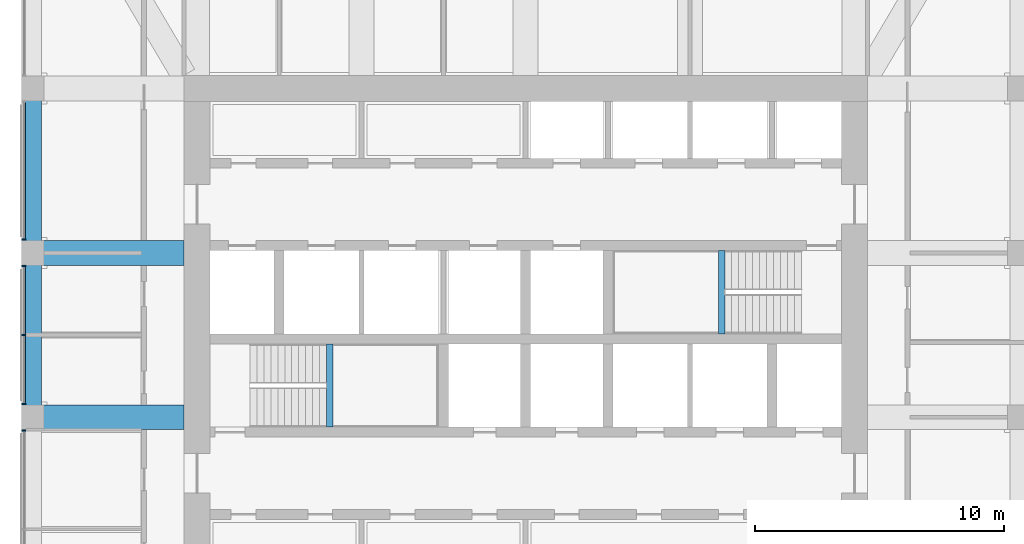
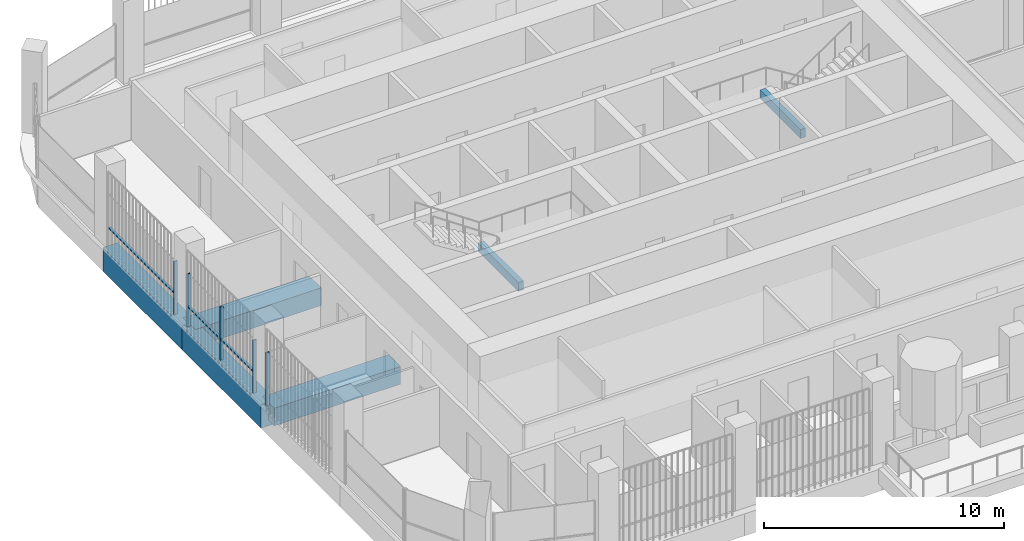
# One storey, part 4 of 21: 8 members, 6 beams, 3 elements without a shape of their own.
"""IFC4 building model written with IfcOpenShell, lengths in metres."""

from ifc_helpers import new_model, si_unit, direction, frame, origin, origin_2d, place, context, subcontext, project, spatial, rectangle, extrude, material, material_profile, profile_set, type_object, element, aggregate, save


model = new_model("IFC4")

# Units and contexts
model_context = context("Model", 3, precision=1e-05, world=origin(), true_north=direction((0.0, 1.0)))
body_context = subcontext(model_context, "Body", "Model", "MODEL_VIEW")
ifc_project = project(units=[si_unit("LENGTHUNIT", "METRE"), si_unit("AREAUNIT", "SQUARE_METRE"), si_unit("VOLUMEUNIT", "CUBIC_METRE"), si_unit("PLANEANGLEUNIT", "RADIAN"), si_unit("MASSUNIT", "GRAM", prefix="KILO")], contexts=[model_context])

# Site, building, storey
site_placement = place(None, origin())
site = spatial("IfcSite", under=ifc_project, at=site_placement, CompositionType="ELEMENT")
building_placement = place(site_placement, origin())
building = spatial("IfcBuilding", under=site, at=building_placement, Name="Cobogo Forest Laboratory Tower", CompositionType="ELEMENT")
storey_placement = place(building_placement, frame((0.0, 0.0, 258.60009765625)))
storey = spatial("IfcBuildingStorey", under=building, at=storey_placement, Name="L59", CompositionType="ELEMENT", Elevation=258.60009765625)

# Beams
ifc_material_1 = material(Name="Concrete HA-40 (C40/50)", Category="concrete")
ifc_material_profile_1 = material_profile(ifc_material_1, rectangle(XDim=0.25, YDim=0.449951171875, at=origin_2d()), Name="RC 250x450")
ifc_profile_set_1 = profile_set([ifc_material_profile_1], Name="Concrete HA-40 (C40/50)")
beam_type_1 = type_object("IfcBeamType", Name="LB1 landing beam 250x450", PredefinedType="BEAM", material=ifc_profile_set_1)
for number, where, z_axis, x_axis, name in (
    (1, (18.530029296875, 19.39990234375, 1.6748046875), (0.0, 1.0, 0.0), (-1.0, 0.0, 0.0), "Landing beam ST1 L59"),
    (2, (34.27001953125, 23.14990234375, 1.6748046875), (0.0, 1.0, 0.0), (-1.0, 0.0, 0.0), "Landing beam ST2 L59"),
):
    element("IfcBeam", number, at=place(storey_placement, frame(where, z_axis=z_axis, x_axis=x_axis)), inside=storey, type_object=beam_type_1, Name=name, PredefinedType="BEAM", context=body_context, shape_type="SweptSolid", body=[
        extrude(rectangle(XDim=0.25, YDim=0.449951171875, at=origin_2d()), origin(), (0.0, 0.0, 1.0), 3.35009765625),
    ])

# Curtain wall, member
ifc_material_2 = material(Name="Aluminium curtain wall", Category="aluminium")
curtain_wall_type = type_object("IfcCurtainWallType", Name="CW-2 unitised curtain wall, solar control glazing, laboratory floors zones C and D", PredefinedType="USERDEFINED", material=ifc_material_2)
curtain_wall_1_placement = place(storey_placement, origin())
curtain_wall_1 = element("IfcCurtainWall", 3, at=curtain_wall_1_placement, inside=storey, type_object=curtain_wall_type, Name="Curtain wall 21 L59", ObjectType="UNITISED CURTAIN WALL", PredefinedType="USERDEFINED")
ifc_material_3 = material(Name="Aluminium mullion", Category="aluminium")
ifc_material_profile_2 = material_profile(ifc_material_3, rectangle(XDim=0.06005859375, YDim=0.159912109375, at=origin_2d()), Name="AL 60x160")
ifc_profile_set_2 = profile_set([ifc_material_profile_2], Name="Aluminium mullion")
member_type_1 = type_object("IfcMemberType", Name="MU-1 aluminium mullion 60x160", PredefinedType="MULLION", material=ifc_profile_set_2)
member_1_placement = place(storey_placement, frame((6.25, 26.929931640625, 0.0), z_axis=(0.0, 0.0, 1.0), x_axis=(0.0, -1.0, 0.0)))
member_1 = element("IfcMember", 4, at=member_1_placement, type_object=member_type_1, Name="CW-2 mullion 2", PredefinedType="MULLION", context=body_context, shape_type="SweptSolid", body=[
    extrude(rectangle(XDim=0.06005859375, YDim=0.159912109375, at=origin_2d()), origin(), (0.0, 0.0, 1.0), 2.699951171875),
])

# Curtain wall, members
curtain_wall_2_placement = place(storey_placement, origin())
curtain_wall_2 = element("IfcCurtainWall", 5, at=curtain_wall_2_placement, inside=storey, type_object=curtain_wall_type, Name="Curtain wall 22 L59", ObjectType="UNITISED CURTAIN WALL", PredefinedType="USERDEFINED")
member_2_placement = place(storey_placement, frame((6.25, 25.8701171875, 0.0), z_axis=(0.0, 0.0, 1.0), x_axis=(0.0, -1.0, 0.0)))
member_2 = element("IfcMember", 6, at=member_2_placement, type_object=member_type_1, Name="CW-2 mullion 1", PredefinedType="MULLION", context=body_context, shape_type="SweptSolid", body=[
    extrude(rectangle(XDim=0.06005859375, YDim=0.159912109375, at=origin_2d()), origin(), (0.0, 0.0, 1.0), 2.699951171875),
])
member_3_placement = place(storey_placement, frame((6.25, 23.10009765625, 0.0), z_axis=(0.0, 0.0, 1.0), x_axis=(0.0, -1.0, 0.0)))
member_3 = element("IfcMember", 7, at=member_3_placement, type_object=member_type_1, Name="CW-2 mullion 2", PredefinedType="MULLION", context=body_context, shape_type="SweptSolid", body=[
    extrude(rectangle(XDim=0.06005859375, YDim=0.159912109375, at=origin_2d()), origin(), (0.0, 0.0, 1.0), 2.699951171875),
])
member_4_placement = place(storey_placement, frame((6.25, 20.330078125, 0.0), z_axis=(0.0, 0.0, 1.0), x_axis=(0.0, -1.0, 0.0)))
member_4 = element("IfcMember", 8, at=member_4_placement, type_object=member_type_1, Name="CW-2 mullion 3", PredefinedType="MULLION", context=body_context, shape_type="SweptSolid", body=[
    extrude(rectangle(XDim=0.06005859375, YDim=0.159912109375, at=origin_2d()), origin(), (0.0, 0.0, 1.0), 2.699951171875),
])

# Curtain wall, member
curtain_wall_3_placement = place(storey_placement, origin())
curtain_wall_3 = element("IfcCurtainWall", 9, at=curtain_wall_3_placement, inside=storey, type_object=curtain_wall_type, Name="Curtain wall 23 L59", ObjectType="UNITISED CURTAIN WALL", PredefinedType="USERDEFINED")
member_5_placement = place(storey_placement, frame((6.25, 19.27001953125, 0.0), z_axis=(0.0, 0.0, 1.0), x_axis=(0.0, -1.0, 0.0)))
member_5 = element("IfcMember", 10, at=member_5_placement, type_object=member_type_1, Name="CW-2 mullion 1", PredefinedType="MULLION", context=body_context, shape_type="SweptSolid", body=[
    extrude(rectangle(XDim=0.06005859375, YDim=0.159912109375, at=origin_2d()), origin(), (0.0, 0.0, 1.0), 2.699951171875),
])
aggregate(curtain_wall_3, [member_5])

# Beams
ifc_material_profile_3 = material_profile(ifc_material_1, rectangle(XDim=1.0, YDim=0.89990234375, at=origin_2d()), Name="RC 1000x900")
ifc_profile_set_3 = profile_set([ifc_material_profile_3], Name="Concrete HA-40 (C40/50)")
beam_type_2 = type_object("IfcBeamType", Name="Office floor wide beam 1000x900", PredefinedType="BEAM", material=ifc_profile_set_3)
for number, where, z_axis, x_axis, name in (
    (11, (12.675048828125, 19.800048828125, -0.75), (-1.0, 0.0, 0.0), (0.0, -1.0, 0.0), "RB2 R-D-W L59"),
    (12, (12.675048828125, 26.39990234375, -0.75), (-1.0, 0.0, 0.0), (0.0, -1.0, 0.0), "RB2 R-E-W L59"),
):
    element("IfcBeam", number, at=place(storey_placement, frame(where, z_axis=z_axis, x_axis=x_axis)), inside=storey, type_object=beam_type_2, Name=name, PredefinedType="BEAM", context=body_context, shape_type="SweptSolid", body=[
        extrude(rectangle(XDim=1.0, YDim=0.89990234375, at=origin_2d()), origin(), (0.0, 0.0, 1.0), 6.074951171875),
    ])
ifc_material_profile_4 = material_profile(ifc_material_1, rectangle(XDim=0.699951171875, YDim=1.199951171875, at=origin_2d()), Name="RC 700x1200")
ifc_profile_set_4 = profile_set([ifc_material_profile_4], Name="Concrete HA-40 (C40/50)")
beam_type_3 = type_object("IfcBeamType", Name="Perimeter edge beam 700x1200", PredefinedType="BEAM", material=ifc_profile_set_4)
beam_1_placement = place(storey_placement, frame((6.60009765625, 19.800048828125, -0.900146484375), z_axis=(0.0, 1.0, 0.0), x_axis=(-1.0, 0.0, 0.0)))
element("IfcBeam", 13, at=beam_1_placement, inside=storey, type_object=beam_type_3, Name="EB1 E-W2 L59", PredefinedType="BEAM", context=body_context, shape_type="SweptSolid", body=[
    extrude(rectangle(XDim=0.699951171875, YDim=1.199951171875, at=origin_2d()), origin(), (0.0, 0.0, 1.0), 6.599853515625),
])
beam_2_placement = place(storey_placement, frame((6.60009765625, 26.39990234375, -0.900146484375), z_axis=(0.0, 1.0, 0.0), x_axis=(-1.0, 0.0, 0.0)))
element("IfcBeam", 14, at=beam_2_placement, inside=storey, type_object=beam_type_3, Name="EB1 E-W3 L59", PredefinedType="BEAM", context=body_context, shape_type="SweptSolid", body=[
    extrude(rectangle(XDim=0.699951171875, YDim=1.199951171875, at=origin_2d()), origin(), (0.0, 0.0, 1.0), 6.60009765625),
])

# Member
ifc_material_4 = material(Name="Aluminium transom", Category="aluminium")
ifc_material_profile_5 = material_profile(ifc_material_4, rectangle(XDim=0.1201171875, YDim=0.06005859375, at=origin_2d()), Name="AL 60x120")
ifc_profile_set_5 = profile_set([ifc_material_profile_5], Name="Aluminium transom")
member_type_2 = type_object("IfcMemberType", Name="TR-1 aluminium transom 60x120", PredefinedType="USERDEFINED", material=ifc_profile_set_5)
member_6_placement = place(storey_placement, frame((6.25, 32.43994140625, 1.0498046875), z_axis=(0.0, -1.0, 0.0), x_axis=(1.0, 0.0, 0.0)))
member_6 = element("IfcMember", 15, at=member_6_placement, type_object=member_type_2, Name="CW-2 transom 1.1", ObjectType="TRANSOM", PredefinedType="USERDEFINED", context=body_context, shape_type="SweptSolid", body=[
    extrude(rectangle(XDim=0.1201171875, YDim=0.06005859375, at=origin_2d()), origin(), (0.0, 0.0, 1.0), 5.47998046875),
])

aggregate(curtain_wall_1, [member_1, member_6])

member_7_placement = place(storey_placement, frame((6.25, 25.840087890625, 1.0498046875), z_axis=(0.0, -1.0, 0.0), x_axis=(1.0, 0.0, 0.0)))
member_7 = element("IfcMember", 16, at=member_7_placement, type_object=member_type_2, Name="CW-2 transom 1.1", ObjectType="TRANSOM", PredefinedType="USERDEFINED", context=body_context, shape_type="SweptSolid", body=[
    extrude(rectangle(XDim=0.1201171875, YDim=0.06005859375, at=origin_2d()), origin(), (0.0, 0.0, 1.0), 2.710205078125),
])

member_8_placement = place(storey_placement, frame((6.25, 23.070068359375, 1.0498046875), z_axis=(0.0, -1.0, 0.0), x_axis=(1.0, 0.0, 0.0)))
member_8 = element("IfcMember", 17, at=member_8_placement, type_object=member_type_2, Name="CW-2 transom 2.1", ObjectType="TRANSOM", PredefinedType="USERDEFINED", context=body_context, shape_type="SweptSolid", body=[
    extrude(rectangle(XDim=0.1201171875, YDim=0.06005859375, at=origin_2d()), origin(), (0.0, 0.0, 1.0), 2.7099609375),
])

aggregate(curtain_wall_2, [member_2, member_3, member_4, member_7, member_8])

save(model, "model.ifc")
